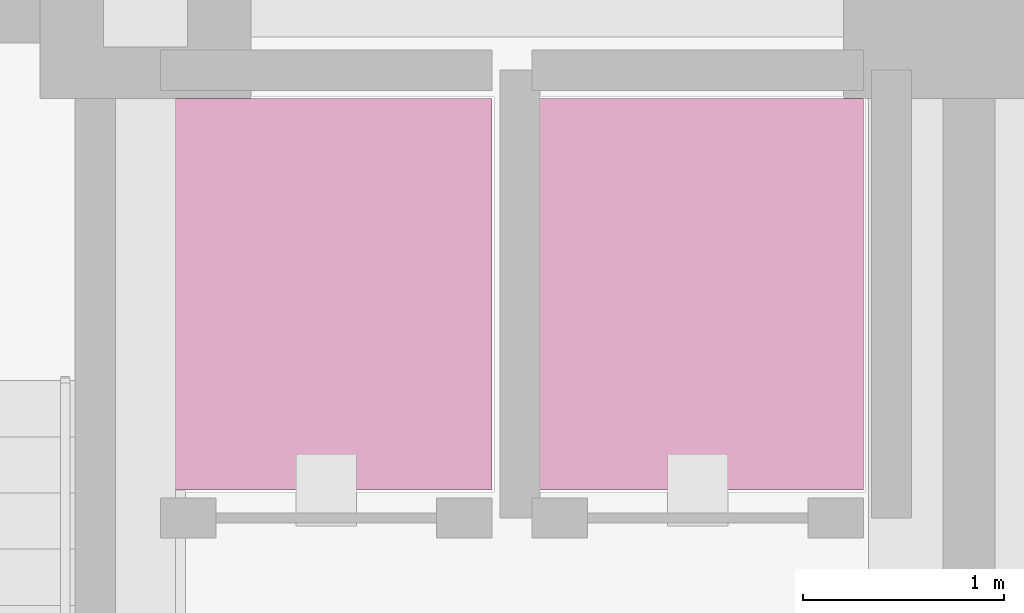
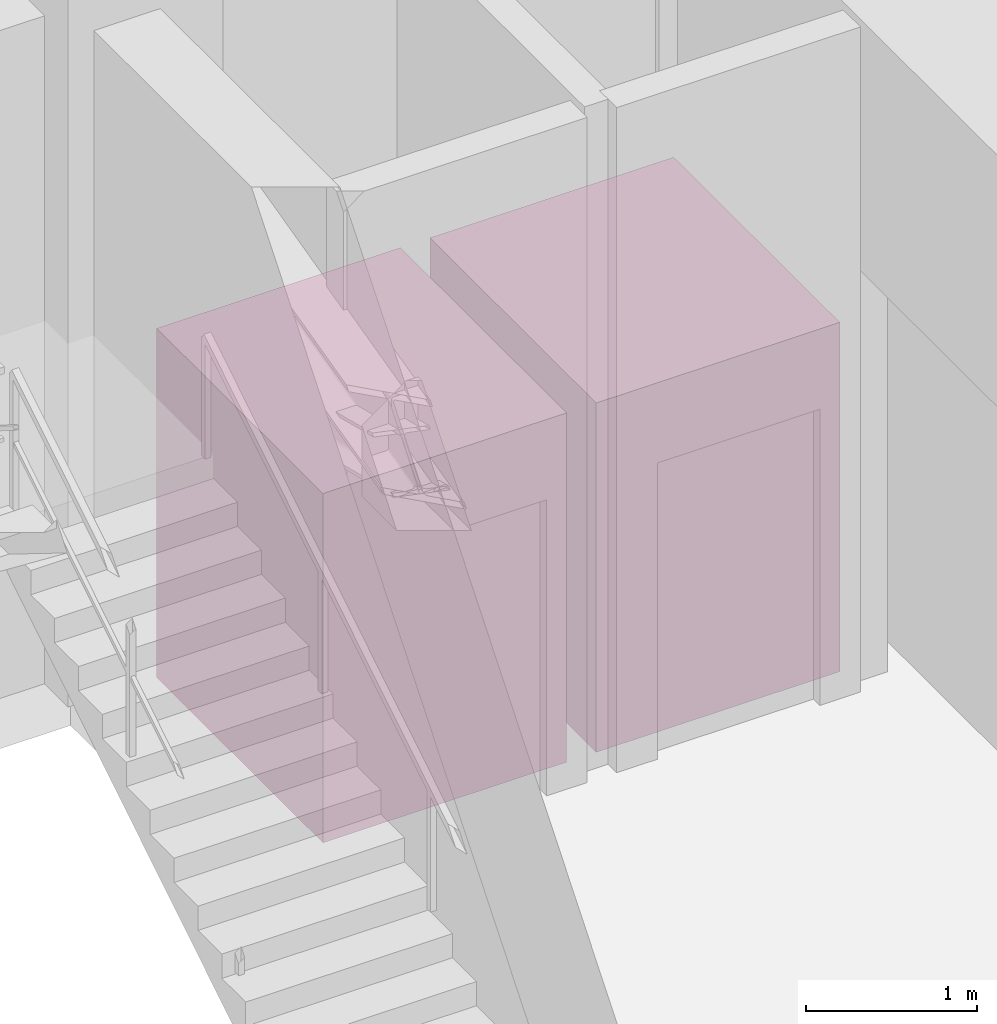
# One storey, part 10 of 10: 2 transport elements.
"""IFC4 building model written with IfcOpenShell, lengths in metres."""

import ifcopenshell
import ifcopenshell.guid

model = None  # the IFC model being written
_history = None  # IfcOwnerHistory: only IFC2X3 demands one
_inside = {}  # id of a spatial element -> (the spatial element, [elements in it])
_under = {}  # id of a project, library or spatial element -> (it, [spatial elements below it])
_declared = {}  # id of a project -> (the project, [libraries it declares])
_typed = {}  # id of a type object -> (the type object, [elements of that type])
_made_of = {}  # id of a material, layer set ... -> (it, [elements and type objects made of it])


def new_model(schema):
    """Start an empty IFC model of exactly this schema.

    Asked for "IFC4X3", IfcOpenShell would pick the latest addendum, in which some entities
    have other attributes; the version numbers below select the first issue.
    IFC2X3 requires an IfcOwnerHistory on every rooted entity: one is made here for all.
    """
    global model, _history
    if schema == "IFC4X3":
        model = ifcopenshell.file(schema_version=(4, 3, 0, 0))
    else:
        model = ifcopenshell.file(schema=schema)
    _inside.clear()
    _under.clear()
    _declared.clear()
    _typed.clear()
    _made_of.clear()
    _history = None
    if model.schema == "IFC2X3":
        org = make("IfcOrganization", Name="unknown")
        user = make(
            "IfcPersonAndOrganization",
            ThePerson=make("IfcPerson", FamilyName="unknown"),
            TheOrganization=org,
        )
        app = make(
            "IfcApplication",
            ApplicationDeveloper=org,
            Version="unknown",
            ApplicationFullName="unknown",
            ApplicationIdentifier="unknown",
        )
        _history = make(
            "IfcOwnerHistory",
            OwningUser=user,
            OwningApplication=app,
            ChangeAction="ADDED",
            CreationDate=0,
        )
    return model


def make(cls, **values):
    """One entity of the class cls with the attributes given. An attribute that is None is left unset."""
    return model.create_entity(
        cls, **{name: value for name, value in values.items() if value is not None}
    )


def rooted(cls, **values):
    """An entity with a GlobalId (a new one), such as an element, a storey or a relation."""
    return make(cls, GlobalId=ifcopenshell.guid.new(), OwnerHistory=_history, **values)


def si_unit(unit_type, name, prefix=None):
    """IfcSIUnit, for example si_unit("LENGTHUNIT", "METRE", prefix="MILLI")."""
    return make("IfcSIUnit", UnitType=unit_type, Prefix=prefix, Name=name)


def assignment(units):
    """IfcUnitAssignment: the units of a project."""
    return None if units is None else make("IfcUnitAssignment", Units=units)


def point(xyz):
    """IfcCartesianPoint."""
    return None if xyz is None else make("IfcCartesianPoint", Coordinates=xyz)


def direction(xyz):
    """IfcDirection."""
    return None if xyz is None else make("IfcDirection", DirectionRatios=xyz)


def frame(location, z_axis=None, x_axis=None):
    """IfcAxis2Placement3D, a coordinate frame: its origin and axes. An axis left out is left unset."""
    return make(
        "IfcAxis2Placement3D",
        Location=point(location),
        Axis=direction(z_axis),
        RefDirection=direction(x_axis),
    )


def frame_2d(location, x_axis=None):
    """IfcAxis2Placement2D, a coordinate frame in the plane: its origin and x axis."""
    return make(
        "IfcAxis2Placement2D", Location=point(location), RefDirection=direction(x_axis)
    )


def origin():
    """The frame at (0, 0, 0) with its axes left unset."""
    return frame((0.0, 0.0, 0.0))


def origin_2d():
    """The frame at (0, 0) in the plane with its x axis left unset."""
    return frame_2d((0.0, 0.0))


def place(relative_to, where):
    """IfcLocalPlacement: puts the frame where relative to a parent placement (None: the world)."""
    return make(
        "IfcLocalPlacement", PlacementRelTo=relative_to, RelativePlacement=where
    )


def context(
    kind, dimensions, precision=None, world=None, true_north=None, identifier=None
):
    """IfcGeometricRepresentationContext, for example the 3D "Model" context."""
    return make(
        "IfcGeometricRepresentationContext",
        ContextIdentifier=identifier,
        ContextType=kind,
        CoordinateSpaceDimension=dimensions,
        Precision=precision,
        WorldCoordinateSystem=world,
        TrueNorth=true_north,
    )


def subcontext(parent, identifier, kind, view, scale=None):
    """IfcGeometricRepresentationSubContext, for example "Body" below "Model"."""
    return make(
        "IfcGeometricRepresentationSubContext",
        ContextIdentifier=identifier,
        ContextType=kind,
        ParentContext=parent,
        TargetScale=scale,
        TargetView=view,
    )


def project(units=None, contexts=None):
    """IfcProject with its units and contexts."""
    return rooted(
        "IfcProject",
        Name="project",
        RepresentationContexts=contexts,
        UnitsInContext=assignment(units),
    )


def spatial(cls, under=None, at=None, **own):
    """A site, building, storey or space (cls), placed at a placement, below another one or the project."""
    s = rooted(cls, ObjectPlacement=at, **own)
    if under is not None:
        _under.setdefault(under.id(), (under, []))[1].append(s)
    return s


def profile(cls, at=None, kind="AREA", **sizes):
    """A parametric profile (cls). Its sizes go by their IFC names, for example OverallWidth=200.0."""
    return make(cls, ProfileType=kind, Position=at, **sizes)


def rectangle(**sizes):
    """IfcRectangleProfileDef."""
    return profile("IfcRectangleProfileDef", **sizes)


def extrude(swept, where, along, depth):
    """IfcExtrudedAreaSolid: the profile swept, set in the frame where, extruded along a direction by depth."""
    return make(
        "IfcExtrudedAreaSolid",
        SweptArea=swept,
        Position=where,
        ExtrudedDirection=direction(along),
        Depth=depth,
    )


def shape(context_of_items, identifier, shape_type, items):
    """IfcShapeRepresentation: the items that make up one representation, for example the "Body"."""
    return make(
        "IfcShapeRepresentation",
        ContextOfItems=context_of_items,
        RepresentationIdentifier=identifier,
        RepresentationType=shape_type,
        Items=items,
    )


def source(mapping_origin, context_of_items, identifier, shape_type, items):
    """IfcRepresentationMap: a shape defined once, which mapped items show again and again."""
    return make(
        "IfcRepresentationMap",
        MappingOrigin=mapping_origin,
        MappedRepresentation=shape(context_of_items, identifier, shape_type, items),
    )


def transform(
    local_origin,
    x_axis=None,
    y_axis=None,
    z_axis=None,
    scale=None,
    scale2=None,
    scale3=None,
    uniform=True,
):
    """IfcCartesianTransformationOperator3D, or its non-uniform kind. x_axis, y_axis, z_axis: its Axis1, 2, 3."""
    if uniform:
        return make(
            "IfcCartesianTransformationOperator3D",
            Axis1=direction(x_axis),
            Axis2=direction(y_axis),
            LocalOrigin=point(local_origin),
            Scale=scale,
            Axis3=direction(z_axis),
        )
    return make(
        "IfcCartesianTransformationOperator3DnonUniform",
        Axis1=direction(x_axis),
        Axis2=direction(y_axis),
        LocalOrigin=point(local_origin),
        Scale=scale,
        Axis3=direction(z_axis),
        Scale2=scale2,
        Scale3=scale3,
    )


def mapped(mapping_source, mapping_target):
    """IfcMappedItem: shows the shape of a source again, moved by a transform."""
    return make(
        "IfcMappedItem", MappingSource=mapping_source, MappingTarget=mapping_target
    )


def material(Name=None, Category=None):
    """IfcMaterial."""
    return make("IfcMaterial", Name=Name, Category=Category)


def made_of(thing, what):
    """Note that an element or type object is made of a material, layer set ...; save() writes the relation."""
    if what is not None:
        _made_of.setdefault(what.id(), (what, []))[1].append(thing)
    return thing


def type_object(cls, material=None, **own):
    """A type object (cls), such as IfcWallType, which elements share."""
    return made_of(rooted(cls, **own), material)


def element(
    cls,
    number,
    at=None,
    inside=None,
    cuts=None,
    type_object=None,
    material=None,
    context=None,
    identifier="Body",
    shape_type=None,
    held_by="IfcProductDefinitionShape",
    body=None,
    shapes=None,
    **own,
):
    """One element of the class cls, such as IfcWall. Its Tag is "e" and its number.

    at: its placement. inside: the storey or other place that contains it. cuts: it is an
    opening in that element (IfcRelVoidsElement). A single representation is given by context,
    identifier, shape_type and body (its items); several are given by shapes. held_by: the class
    of the entity that holds the representations. save() writes the other relations.
    """
    e = rooted(cls, Tag="e%d" % number, ObjectPlacement=at, **own)
    if body is not None:
        shapes = [shape(context, identifier, shape_type, body)]
    if shapes is not None:
        e.Representation = make(held_by, Representations=shapes)
    if inside is not None:
        _inside.setdefault(inside.id(), (inside, []))[1].append(e)
    if cuts is not None:
        rooted(
            "IfcRelVoidsElement", RelatingBuildingElement=cuts, RelatedOpeningElement=e
        )
    if type_object is not None:
        _typed.setdefault(type_object.id(), (type_object, []))[1].append(e)
    return made_of(e, material)


def aggregate(whole, parts):
    """IfcRelAggregates: a whole, such as a stair, and the parts it consists of."""
    return rooted("IfcRelAggregates", RelatingObject=whole, RelatedObjects=parts)


def save(model, path):
    """Write the relations noted so far, then the file.

    IfcRelAggregates (storeys below a building ...), IfcRelContainedInSpatialStructure (elements
    in a storey), IfcRelDefinesByType, IfcRelAssociatesMaterial and IfcRelDeclares: one each for
    every whole, place, type object, material and project.
    """
    for whole, parts in _under.values():
        aggregate(whole, parts)
    for where, things in _inside.values():
        rooted(
            "IfcRelContainedInSpatialStructure",
            RelatedElements=things,
            RelatingStructure=where,
        )
    for kind, things in _typed.values():
        rooted("IfcRelDefinesByType", RelatedObjects=things, RelatingType=kind)
    for what, things in _made_of.values():
        rooted("IfcRelAssociatesMaterial", RelatedObjects=things, RelatingMaterial=what)
    for by, libraries in _declared.values():
        rooted("IfcRelDeclares", RelatingContext=by, RelatedDefinitions=libraries)
    model.write(path)


model = new_model("IFC4")

# Units and contexts
model_context = context("Model", 3, precision=1e-05, world=origin(), true_north=direction((0.0, 1.0)))
body_context = subcontext(model_context, "Body", "Model", "MODEL_VIEW")
ifc_project = project(units=[si_unit("LENGTHUNIT", "METRE"), si_unit("AREAUNIT", "SQUARE_METRE"), si_unit("VOLUMEUNIT", "CUBIC_METRE"), si_unit("PLANEANGLEUNIT", "RADIAN"), si_unit("MASSUNIT", "GRAM", prefix="KILO")], contexts=[model_context])

# Site, building, storey
site_placement = place(None, origin())
site = spatial("IfcSite", under=ifc_project, at=site_placement, CompositionType="ELEMENT")
building_placement = place(site_placement, origin())
building = spatial("IfcBuilding", under=site, at=building_placement, Name="Kaliganga Portal Commons", CompositionType="ELEMENT")
storey_placement = place(building_placement, frame((0.0, 0.0, 192.0)))
storey = spatial("IfcBuildingStorey", under=building, at=storey_placement, Name="L49", CompositionType="ELEMENT", Elevation=192.0)

# Transport elements
ifc_material = material(Name="Stainless Steel 316 Lift Car Assembly", Category="steel")
transport_element_type = type_object("IfcTransportElementType", Name="XPT-ELEV-PASS", PredefinedType="ELEVATOR", material=ifc_material)
shared_shape = source(origin(), body_context, "Body", "SweptSolid", [
    extrude(rectangle(XDim=1.64990234375, YDim=1.949951171875, at=origin_2d()), origin(), (0.0, 0.0, 1.0), 2.5),
])
for number, where, z_axis, x_axis, name in (
    (1, (51.300048828125, 13.050048828125, 0.0), (0.0, 0.0, 1.0), (1.0, 0.0, 0.0), "Passenger Lift PL-B3"),
    (2, (53.14990234375, 13.050048828125, 0.0), (0.0, 0.0, 1.0), (1.0, 0.0, 0.0), "Passenger Lift PL-B4"),
):
    element("IfcTransportElement", number, at=place(storey_placement, frame(where, z_axis=z_axis, x_axis=x_axis)), inside=storey, type_object=transport_element_type, Name=name, PredefinedType="ELEVATOR", context=body_context, shape_type="MappedRepresentation", body=[
        mapped(shared_shape, transform((0.0, 0.0, 0.0), x_axis=(1.0, 0.0, 0.0), y_axis=(0.0, 1.0, 0.0), z_axis=(0.0, 0.0, 1.0), scale=1.0)),
    ])

save(model, "model.ifc")
